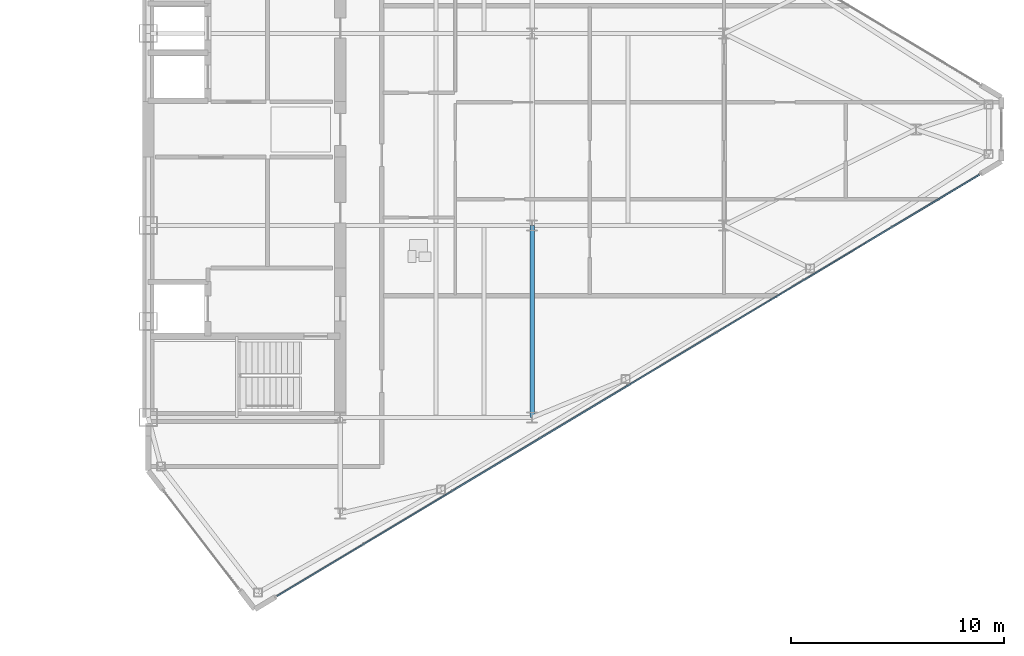
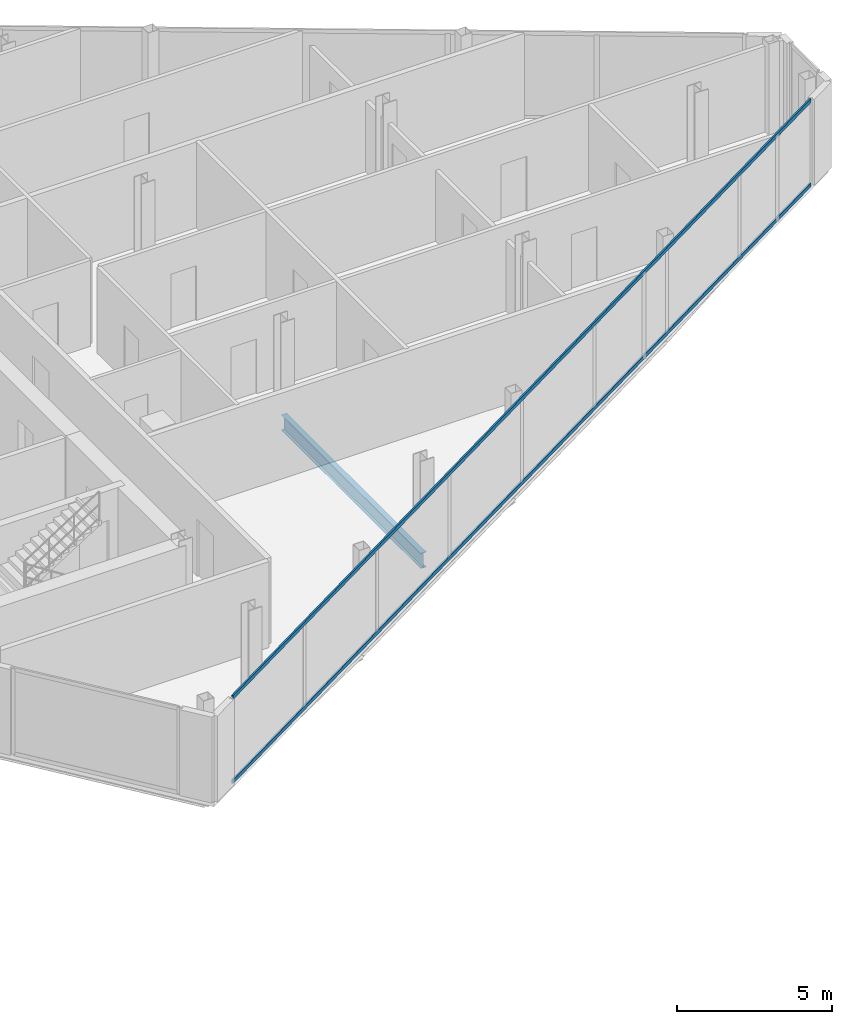
# One storey, part 12 of 26: 2 members, 1 beam, 1 element without a shape of its own.
"""IFC4 building model written with IfcOpenShell, lengths in metres."""

from ifc_helpers import new_model, si_unit, direction, frame, origin, origin_2d, place, context, subcontext, project, spatial, rectangle, i_section, extrude, source, transform, mapped, material, layer, layer_set, material_profile, profile_set, type_object, type_shapes, element, aggregate, save


model = new_model("IFC4")

# Units and contexts
model_context = context("Model", 3, precision=1e-05, world=origin(), true_north=direction((0.0, 1.0)))
body_context = subcontext(model_context, "Body", "Model", "MODEL_VIEW")
ifc_project = project(units=[si_unit("LENGTHUNIT", "METRE"), si_unit("AREAUNIT", "SQUARE_METRE"), si_unit("VOLUMEUNIT", "CUBIC_METRE"), si_unit("PLANEANGLEUNIT", "RADIAN"), si_unit("MASSUNIT", "GRAM", prefix="KILO")], contexts=[model_context])

# Site, building, storey
site_placement = place(None, origin())
site = spatial("IfcSite", under=ifc_project, at=site_placement, CompositionType="ELEMENT")
building_placement = place(site_placement, origin())
building = spatial("IfcBuilding", under=site, at=building_placement, Name="Seokmaru Belvedere", CompositionType="ELEMENT")
storey_placement = place(building_placement, frame((0.0, 0.0, 199.5)))
storey = spatial("IfcBuildingStorey", under=building, at=storey_placement, Name="L53", CompositionType="ELEMENT", Elevation=199.5)

# Beam
ifc_material_1 = material(Name="Steel SM355 (355 MPa)", Category="steel")
ifc_material_profile_1 = material_profile(ifc_material_1, i_section(OverallWidth=0.199951171875, OverallDepth=0.60009765625, WebThickness=0.010986328125, FlangeThickness=0.01708984375, at=origin_2d()), Name="H-600x200x11x17")
ifc_profile_set_1 = profile_set([ifc_material_profile_1], Name="Steel SM355 (355 MPa)")
beam_type = type_object("IfcBeamType", Name="Primary Floor Girder H-600", PredefinedType="BEAM", material=ifc_profile_set_1)
shared_shape_1 = source(origin(), body_context, "Body", "SweptSolid", [
    extrude(i_section(OverallWidth=0.199951171875, OverallDepth=0.60009765625, WebThickness=0.010986328125, FlangeThickness=0.01708984375, at=origin_2d()), origin(), (0.0, 0.0, 1.0), 9.0),
])
type_shapes(beam_type, [shared_shape_1])
beam_placement = place(storey_placement, frame((45.5, -13.5, -0.52001953125), z_axis=(0.0, 1.0, 0.0), x_axis=(-1.0, 0.0, 0.0)))
element("IfcBeam", 1, at=beam_placement, inside=storey, type_object=beam_type, Name="L53 E Interior Grid Girder 1", PredefinedType="BEAM", context=body_context, shape_type="MappedRepresentation", body=[
    mapped(shared_shape_1, transform((0.0, 0.0, 0.0), scale=1.0)),
])

# Curtain wall, members
ifc_material_2 = material(Name="Bronze Triple Insulating Glass", Category="glass")
ifc_layer = layer(ifc_material_2, 0.179931640625)
ifc_layer_set = layer_set([ifc_layer], Name="Bronze Triple Insulating Glass")
curtain_wall_type = type_object("IfcCurtainWallType", Name="High-Rise Wind-Corner Curtain Wall System CW-5", PredefinedType="NOTDEFINED", material=ifc_layer_set)
curtain_wall_placement = place(storey_placement, origin())
curtain_wall = element("IfcCurtainWall", 2, at=curtain_wall_placement, inside=storey, type_object=curtain_wall_type, Name="L53 Curtain Wall EF1", PredefinedType="NOTDEFINED")
ifc_material_3 = material(Name="Anodised Bronze Aluminium", Category="aluminium")
ifc_material_profile_2 = material_profile(ifc_material_3, rectangle(XDim=0.06494140625, YDim=0.14990234375, at=origin_2d()), Name="CW-T-65x150")
ifc_profile_set_2 = profile_set([ifc_material_profile_2], Name="Anodised Bronze Aluminium")
member_type = type_object("IfcMemberType", Name="Bronze Unitised Transom 65x150", PredefinedType="USERDEFINED", material=ifc_profile_set_2)
shared_shape_2 = source(origin(), body_context, "Body", "SweptSolid", [
    extrude(rectangle(XDim=0.06494140625, YDim=0.14990234375, at=origin_2d()), origin(), (0.0, 0.0, 1.0), 38.386962890625),
])
type_shapes(member_type, [shared_shape_2])
member_1_placement = place(storey_placement, frame((33.541748046875, -21.875, 0.032470703125), z_axis=(0.85749180336, 0.514497626011, 0.0), x_axis=(-0.514497626011, 0.85749180336, 0.0)))
member_1 = element("IfcMember", 3, at=member_1_placement, type_object=member_type, Name="CW:L53:EF1 Continuous Transom 1", ObjectType="TRANSOM", PredefinedType="USERDEFINED", context=body_context, shape_type="MappedRepresentation", body=[
    mapped(shared_shape_2, transform((0.0, 0.0, 0.0), scale=1.0)),
])
member_2_placement = place(storey_placement, frame((33.541748046875, -21.875, 3.347412109375), z_axis=(0.85749180336, 0.514497626011, 0.0), x_axis=(-0.514497626011, 0.85749180336, 0.0)))
member_2 = element("IfcMember", 4, at=member_2_placement, type_object=member_type, Name="CW:L53:EF1 Continuous Transom 2", ObjectType="TRANSOM", PredefinedType="USERDEFINED", context=body_context, shape_type="MappedRepresentation", body=[
    mapped(shared_shape_2, transform((0.0, 0.0, 0.0), scale=1.0)),
])
aggregate(curtain_wall, [member_1, member_2])

save(model, "model.ifc")
